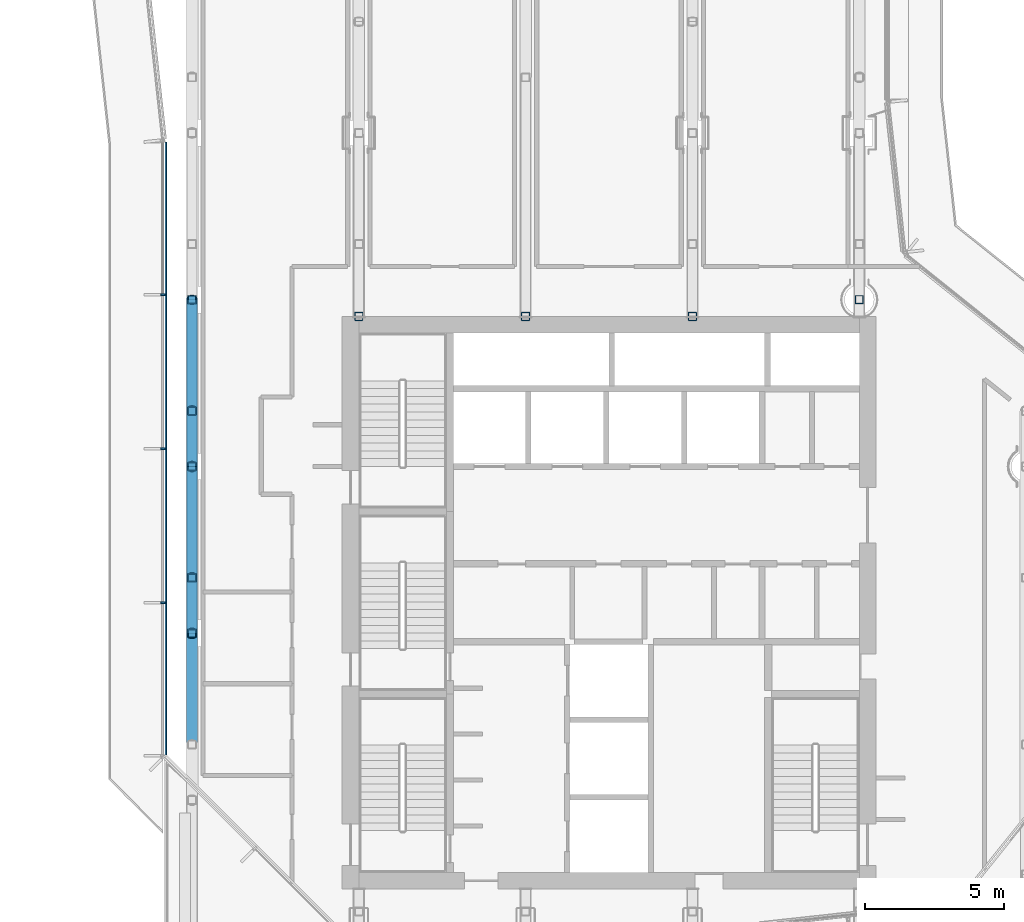
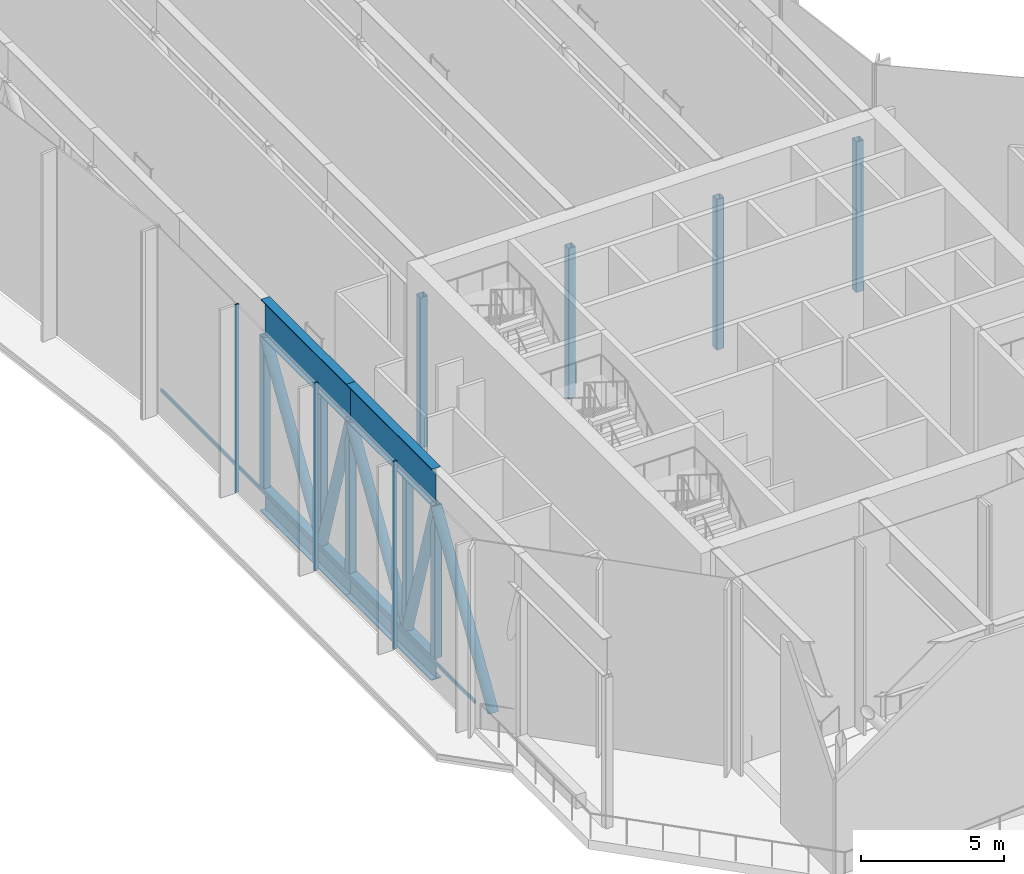
# One storey, part 3 of 22: 22 members, 1 element without a shape of its own.
"""IFC4 building model written with IfcOpenShell, lengths in metres."""

from ifc_helpers import new_model, si_unit, direction, frame, origin, origin_2d, place, context, subcontext, project, spatial, rectangle, hollow_rectangle, hollow_circle, i_section, extrude, material, layer, layer_set, material_profile, profile_set, type_object, element, aggregate, save


model = new_model("IFC4")

# Units and contexts
model_context = context("Model", 3, precision=1e-05, world=origin(), true_north=direction((0.0, 1.0)))
body_context = subcontext(model_context, "Body", "Model", "MODEL_VIEW")
ifc_project = project(units=[si_unit("LENGTHUNIT", "METRE"), si_unit("AREAUNIT", "SQUARE_METRE"), si_unit("VOLUMEUNIT", "CUBIC_METRE"), si_unit("PLANEANGLEUNIT", "RADIAN"), si_unit("MASSUNIT", "GRAM", prefix="KILO")], contexts=[model_context])

# Site, building, storey
site_placement = place(None, origin())
site = spatial("IfcSite", under=ifc_project, at=site_placement, CompositionType="ELEMENT")
building_placement = place(site_placement, origin())
building = spatial("IfcBuilding", under=site, at=building_placement, Name="Welwitschia Terrace Campus", CompositionType="ELEMENT")
storey_placement = place(building_placement, frame((0.0, 0.0, 197.0)))
storey = spatial("IfcBuildingStorey", under=building, at=storey_placement, Name="L44", CompositionType="ELEMENT", Elevation=197.0)

# Curtain wall, members
ifc_material_1 = material(Name="Bronze anodised aluminium", Category="aluminium")
ifc_layer = layer(ifc_material_1, 0.159912109375)
ifc_layer_set = layer_set([ifc_layer], Name="Bronze anodised aluminium")
curtain_wall_type = type_object("IfcCurtainWallType", Name="Curtain wall CW3 commons 6000", PredefinedType="NOTDEFINED", material=ifc_layer_set)
curtain_wall_placement = place(storey_placement, origin())
curtain_wall = element("IfcCurtainWall", 1, at=curtain_wall_placement, inside=storey, type_object=curtain_wall_type, Name="CW L44.9.0", PredefinedType="NOTDEFINED")
ifc_material_2 = material(Name="Bronze anodised aluminium", Category="aluminium")
ifc_material_profile_1 = material_profile(ifc_material_2, rectangle(XDim=0.159912109375, YDim=0.06005859375, at=origin_2d()))
ifc_profile_set_1 = profile_set([ifc_material_profile_1], Name="Bronze anodised aluminium")
member_type_1 = type_object("IfcMemberType", Name="Mullion 60x160", PredefinedType="MULLION", material=ifc_profile_set_1)
member_1_placement = place(storey_placement, frame((-1.050048828125, 26.17724609375, 0.0), z_axis=(0.0, 0.0, 1.0), x_axis=(1.0, 0.0, 0.0)))
member_1 = element("IfcMember", 2, at=member_1_placement, type_object=member_type_1, Name="Mullion L44.9.0.1", PredefinedType="MULLION", context=body_context, shape_type="SweptSolid", body=[
    extrude(rectangle(XDim=0.159912109375, YDim=0.06005859375, at=origin_2d()), origin(), (0.0, 0.0, 1.0), 8.050048828125),
])
member_2_placement = place(storey_placement, frame((-1.050048828125, 20.639892578125, 0.0), z_axis=(0.0, 0.0, 1.0), x_axis=(1.0, 0.0, 0.0)))
member_2 = element("IfcMember", 3, at=member_2_placement, type_object=member_type_1, Name="Mullion L44.9.0.2", PredefinedType="MULLION", context=body_context, shape_type="SweptSolid", body=[
    extrude(rectangle(XDim=0.159912109375, YDim=0.06005859375, at=origin_2d()), origin(), (0.0, 0.0, 1.0), 8.050048828125),
])
member_3_placement = place(storey_placement, frame((-1.050048828125, 15.1025390625, 0.0), z_axis=(0.0, 0.0, 1.0), x_axis=(1.0, 0.0, 0.0)))
member_3 = element("IfcMember", 4, at=member_3_placement, type_object=member_type_1, Name="Mullion L44.9.0.3", PredefinedType="MULLION", context=body_context, shape_type="SweptSolid", body=[
    extrude(rectangle(XDim=0.159912109375, YDim=0.06005859375, at=origin_2d()), origin(), (0.0, 0.0, 1.0), 8.050048828125),
])

# Members
ifc_material_3 = material(Name="Steel S355", Category="steel")
ifc_material_profile_2 = material_profile(ifc_material_3, i_section(OverallWidth=0.39990234375, OverallDepth=1.0, WebThickness=0.02490234375, FlangeThickness=0.0400390625, at=origin_2d()))
ifc_profile_set_2 = profile_set([ifc_material_profile_2], Name="Steel S355")
member_type_2 = type_object("IfcMemberType", Name="Transfer truss C3 bottom chord WI 1000x400x25x40", PredefinedType="CHORD", material=ifc_profile_set_2)
for number, where, z_axis, x_axis, name in (
    (5, (0.0, 14.0, -0.5), (0.0, 1.0, 0.0), (-1.0, 0.0, 0.0), "Truss bottom chord"),
    (6, (0.0, 20.0, -0.5), (0.0, 1.0, 0.0), (-1.0, 0.0, 0.0), "Truss bottom chord"),
):
    element("IfcMember", number, at=place(storey_placement, frame(where, z_axis=z_axis, x_axis=x_axis)), inside=storey, type_object=member_type_2, Name=name, PredefinedType="CHORD", context=body_context, shape_type="SweptSolid", body=[
        extrude(i_section(OverallWidth=0.39990234375, OverallDepth=1.0, WebThickness=0.02490234375, FlangeThickness=0.0400390625, at=origin_2d()), origin(), (0.0, 0.0, 1.0), 6.0),
    ])
ifc_material_4 = material(Name="Steel S355", Category="steel")
ifc_material_profile_3 = material_profile(ifc_material_4, hollow_circle(Radius=0.203125, WallThickness=0.01611328125, at=origin_2d()))
ifc_profile_set_3 = profile_set([ifc_material_profile_3], Name="Steel S355")
member_type_3 = type_object("IfcMemberType", Name="Transfer truss C3 diagonal CHS 406.4x16", PredefinedType="BRACE", material=ifc_profile_set_3)
member_4_placement = place(storey_placement, frame((0.0, 10.0, 0.0), z_axis=(0.0, 0.527037721004, 0.849841891553), x_axis=(-1.0, 0.0, 0.0)))
element("IfcMember", 7, at=member_4_placement, inside=storey, type_object=member_type_3, Name="Truss diagonal", PredefinedType="BRACE", context=body_context, shape_type="SweptSolid", body=[
    extrude(hollow_circle(Radius=0.203125, WallThickness=0.01611328125, at=origin_2d()), origin(), (0.0, 0.0, 1.0), 7.589599609375),
])
member_5_placement = place(storey_placement, frame((0.0, 16.0, 0.0), z_axis=(0.0, -0.296168365803, 0.955135749042), x_axis=(1.0, 0.0, 0.0)))
element("IfcMember", 8, at=member_5_placement, inside=storey, type_object=member_type_3, Name="Truss diagonal", PredefinedType="BRACE", context=body_context, shape_type="SweptSolid", body=[
    extrude(hollow_circle(Radius=0.203125, WallThickness=0.01611328125, at=origin_2d()), origin(), (0.0, 0.0, 1.0), 6.7529296875),
])
member_6_placement = place(storey_placement, frame((0.0, 16.0, 0.0), z_axis=(0.0, 0.527037721004, 0.849841891553), x_axis=(-1.0, 0.0, 0.0)))
element("IfcMember", 9, at=member_6_placement, inside=storey, type_object=member_type_3, Name="Truss diagonal", PredefinedType="BRACE", context=body_context, shape_type="SweptSolid", body=[
    extrude(hollow_circle(Radius=0.203125, WallThickness=0.01611328125, at=origin_2d()), origin(), (0.0, 0.0, 1.0), 7.589599609375),
])
member_7_placement = place(storey_placement, frame((0.0, 22.0, 0.0), z_axis=(0.0, -0.296168365803, 0.955135749042), x_axis=(1.0, 0.0, 0.0)))
element("IfcMember", 10, at=member_7_placement, inside=storey, type_object=member_type_3, Name="Truss diagonal", PredefinedType="BRACE", context=body_context, shape_type="SweptSolid", body=[
    extrude(hollow_circle(Radius=0.203125, WallThickness=0.01611328125, at=origin_2d()), origin(), (0.0, 0.0, 1.0), 6.7529296875),
])
member_8_placement = place(storey_placement, frame((0.0, 22.0, 0.0), z_axis=(0.0, 0.527037721004, 0.849841891553), x_axis=(-1.0, 0.0, 0.0)))
element("IfcMember", 11, at=member_8_placement, inside=storey, type_object=member_type_3, Name="Truss diagonal", PredefinedType="BRACE", context=body_context, shape_type="SweptSolid", body=[
    extrude(hollow_circle(Radius=0.203125, WallThickness=0.01611328125, at=origin_2d()), origin(), (0.0, 0.0, 1.0), 7.589599609375),
])
ifc_material_5 = material(Name="Steel S355", Category="steel")
ifc_material_profile_4 = material_profile(ifc_material_5, hollow_rectangle(XDim=0.300048828125, YDim=0.300048828125, WallThickness=0.01611328125, InnerFilletRadius=0.01611328125, OuterFilletRadius=0.02392578125, at=origin_2d()))
ifc_profile_set_4 = profile_set([ifc_material_profile_4], Name="Steel S355")
member_type_4 = type_object("IfcMemberType", Name="Transfer truss C3 post SHS 300x300x16", PredefinedType="POST", material=ifc_profile_set_4)
for number, where, z_axis, x_axis, name in (
    (12, (0.0, 14.0, 0.0), (0.0, 0.0, 1.0), (1.0, 0.0, 0.0), "Truss post"),
    (13, (0.0, 16.0, 0.0), (0.0, 0.0, 1.0), (1.0, 0.0, 0.0), "Truss post"),
    (14, (0.0, 20.0, 0.0), (0.0, 0.0, 1.0), (1.0, 0.0, 0.0), "Truss post"),
    (15, (0.0, 22.0, 0.0), (0.0, 0.0, 1.0), (1.0, 0.0, 0.0), "Truss post"),
    (16, (0.0, 26.0, 0.0), (0.0, 0.0, 1.0), (1.0, 0.0, 0.0), "Truss post"),
    (17, (6.0, 25.39990234375, 0.0), (0.0, 0.0, 1.0), (1.0, 0.0, 0.0), "Truss post"),
    (18, (12.0, 25.39990234375, 0.0), (0.0, 0.0, 1.0), (1.0, 0.0, 0.0), "Truss post"),
    (19, (18.0, 25.39990234375, 0.0), (0.0, 0.0, 1.0), (1.0, 0.0, 0.0), "Truss post"),
    (20, (24.0, 26.0, 0.0), (0.0, 0.0, 1.0), (1.0, 0.0, 0.0), "Truss post"),
):
    element("IfcMember", number, at=place(storey_placement, frame(where, z_axis=z_axis, x_axis=x_axis)), inside=storey, type_object=member_type_4, Name=name, PredefinedType="POST", context=body_context, shape_type="SweptSolid", body=[
        extrude(hollow_rectangle(XDim=0.300048828125, YDim=0.300048828125, WallThickness=0.01611328125, InnerFilletRadius=0.01611328125, OuterFilletRadius=0.02392578125, at=origin_2d()), origin(), (0.0, 0.0, 1.0), 6.449951171875),
    ])
ifc_material_6 = material(Name="Steel S355", Category="steel")
ifc_material_profile_5 = material_profile(ifc_material_6, i_section(OverallWidth=0.35009765625, OverallDepth=1.60009765625, WebThickness=0.02490234375, FlangeThickness=0.0400390625, at=origin_2d()))
ifc_profile_set_5 = profile_set([ifc_material_profile_5], Name="Steel S355")
member_type_5 = type_object("IfcMemberType", Name="Transfer truss C3 top chord WI 1600x350x25x40", PredefinedType="CHORD", material=ifc_profile_set_5)
for number, where, z_axis, x_axis, name in (
    (21, (0.0, 14.0, 7.25), (0.0, 1.0, 0.0), (-1.0, 0.0, 0.0), "Truss top chord"),
    (22, (0.0, 20.0, 7.25), (0.0, 1.0, 0.0), (-1.0, 0.0, 0.0), "Truss top chord"),
):
    element("IfcMember", number, at=place(storey_placement, frame(where, z_axis=z_axis, x_axis=x_axis)), inside=storey, type_object=member_type_5, Name=name, PredefinedType="CHORD", context=body_context, shape_type="SweptSolid", body=[
        extrude(i_section(OverallWidth=0.35009765625, OverallDepth=1.60009765625, WebThickness=0.02490234375, FlangeThickness=0.0400390625, at=origin_2d()), origin(), (0.0, 0.0, 1.0), 6.0),
    ])

# Member
ifc_material_7 = material(Name="Bronze anodised aluminium", Category="aluminium")
ifc_material_profile_6 = material_profile(ifc_material_7, rectangle(XDim=0.06005859375, YDim=0.14990234375, at=origin_2d()))
ifc_profile_set_6 = profile_set([ifc_material_profile_6], Name="Bronze anodised aluminium")
member_type_6 = type_object("IfcMemberType", Name="Transom 60x150", PredefinedType="USERDEFINED", material=ifc_profile_set_6)
member_9_placement = place(storey_placement, frame((-0.93994140625, 31.654541015625, 1.0), z_axis=(0.0, -1.0, 0.0), x_axis=(1.0, 0.0, 0.0)))
member_9 = element("IfcMember", 23, at=member_9_placement, type_object=member_type_6, Name="Transom L44.9.0", ObjectType="TRANSOM", PredefinedType="USERDEFINED", context=body_context, shape_type="SweptSolid", body=[
    extrude(rectangle(XDim=0.06005859375, YDim=0.14990234375, at=origin_2d()), origin(), (0.0, 0.0, 1.0), 22.029541015625),
])

aggregate(curtain_wall, [member_1, member_2, member_3, member_9])

save(model, "model.ifc")
